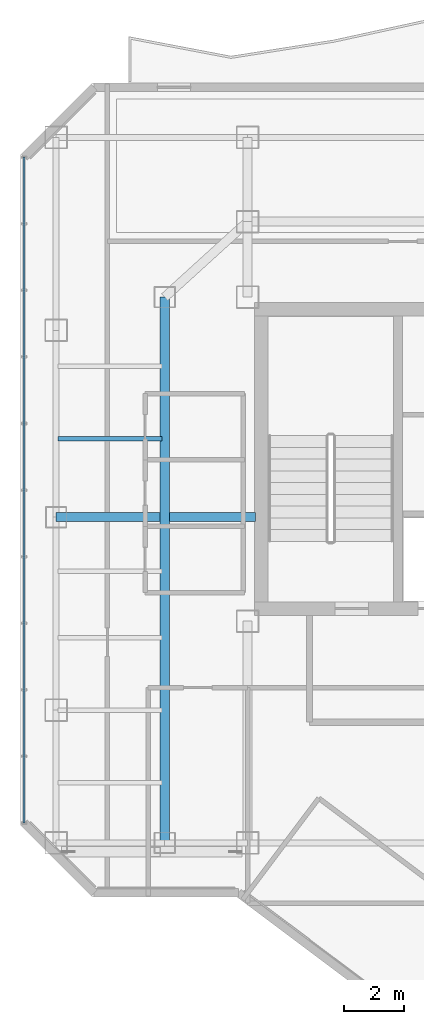
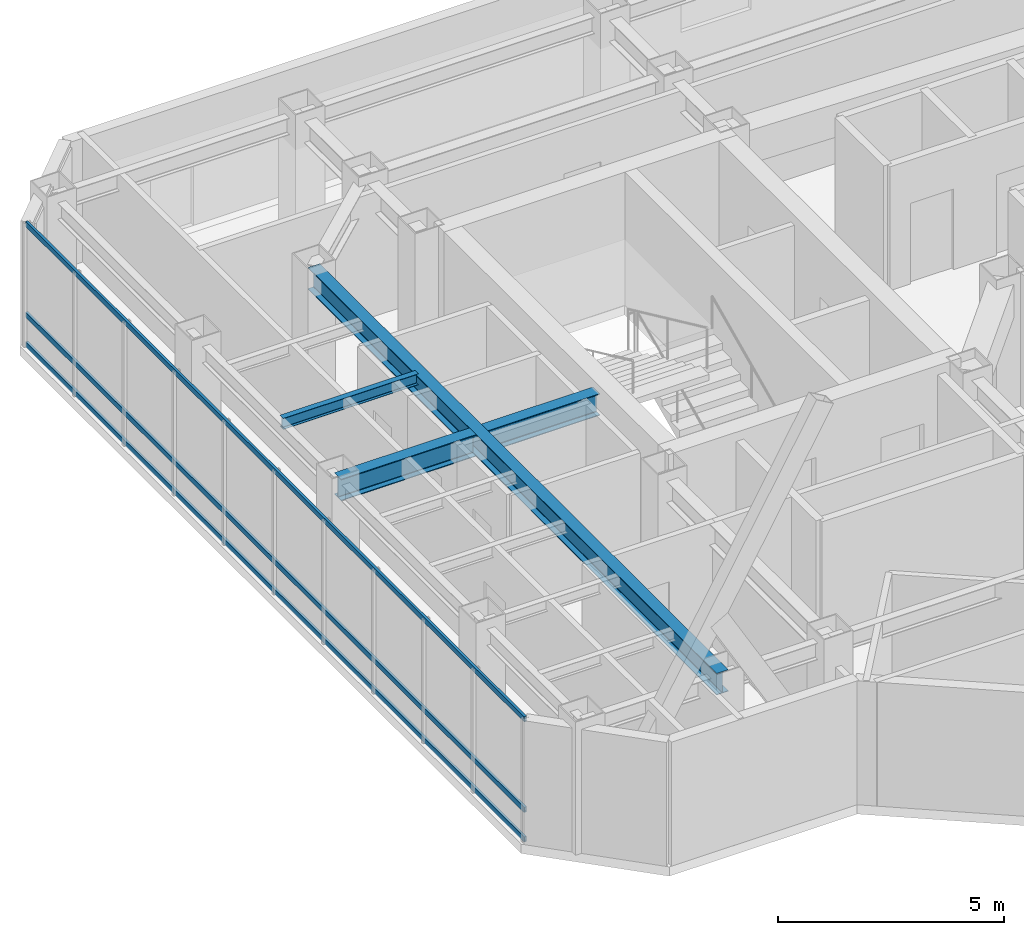
# One storey, part 7 of 24: 4 beams, 3 members, 1 element without a shape of its own.
"""IFC4 building model written with IfcOpenShell, lengths in metres."""

import ifcopenshell
import ifcopenshell.guid

model = None  # the IFC model being written
_history = None  # IfcOwnerHistory: only IFC2X3 demands one
_inside = {}  # id of a spatial element -> (the spatial element, [elements in it])
_under = {}  # id of a project, library or spatial element -> (it, [spatial elements below it])
_declared = {}  # id of a project -> (the project, [libraries it declares])
_typed = {}  # id of a type object -> (the type object, [elements of that type])
_made_of = {}  # id of a material, layer set ... -> (it, [elements and type objects made of it])


def new_model(schema):
    """Start an empty IFC model of exactly this schema.

    Asked for "IFC4X3", IfcOpenShell would pick the latest addendum, in which some entities
    have other attributes; the version numbers below select the first issue.
    IFC2X3 requires an IfcOwnerHistory on every rooted entity: one is made here for all.
    """
    global model, _history
    if schema == "IFC4X3":
        model = ifcopenshell.file(schema_version=(4, 3, 0, 0))
    else:
        model = ifcopenshell.file(schema=schema)
    _inside.clear()
    _under.clear()
    _declared.clear()
    _typed.clear()
    _made_of.clear()
    _history = None
    if model.schema == "IFC2X3":
        org = make("IfcOrganization", Name="unknown")
        user = make(
            "IfcPersonAndOrganization",
            ThePerson=make("IfcPerson", FamilyName="unknown"),
            TheOrganization=org,
        )
        app = make(
            "IfcApplication",
            ApplicationDeveloper=org,
            Version="unknown",
            ApplicationFullName="unknown",
            ApplicationIdentifier="unknown",
        )
        _history = make(
            "IfcOwnerHistory",
            OwningUser=user,
            OwningApplication=app,
            ChangeAction="ADDED",
            CreationDate=0,
        )
    return model


def make(cls, **values):
    """One entity of the class cls with the attributes given. An attribute that is None is left unset."""
    return model.create_entity(
        cls, **{name: value for name, value in values.items() if value is not None}
    )


def rooted(cls, **values):
    """An entity with a GlobalId (a new one), such as an element, a storey or a relation."""
    return make(cls, GlobalId=ifcopenshell.guid.new(), OwnerHistory=_history, **values)


def si_unit(unit_type, name, prefix=None):
    """IfcSIUnit, for example si_unit("LENGTHUNIT", "METRE", prefix="MILLI")."""
    return make("IfcSIUnit", UnitType=unit_type, Prefix=prefix, Name=name)


def assignment(units):
    """IfcUnitAssignment: the units of a project."""
    return None if units is None else make("IfcUnitAssignment", Units=units)


def point(xyz):
    """IfcCartesianPoint."""
    return None if xyz is None else make("IfcCartesianPoint", Coordinates=xyz)


def direction(xyz):
    """IfcDirection."""
    return None if xyz is None else make("IfcDirection", DirectionRatios=xyz)


def frame(location, z_axis=None, x_axis=None):
    """IfcAxis2Placement3D, a coordinate frame: its origin and axes. An axis left out is left unset."""
    return make(
        "IfcAxis2Placement3D",
        Location=point(location),
        Axis=direction(z_axis),
        RefDirection=direction(x_axis),
    )


def frame_2d(location, x_axis=None):
    """IfcAxis2Placement2D, a coordinate frame in the plane: its origin and x axis."""
    return make(
        "IfcAxis2Placement2D", Location=point(location), RefDirection=direction(x_axis)
    )


def origin():
    """The frame at (0, 0, 0) with its axes left unset."""
    return frame((0.0, 0.0, 0.0))


def origin_2d():
    """The frame at (0, 0) in the plane with its x axis left unset."""
    return frame_2d((0.0, 0.0))


def place(relative_to, where):
    """IfcLocalPlacement: puts the frame where relative to a parent placement (None: the world)."""
    return make(
        "IfcLocalPlacement", PlacementRelTo=relative_to, RelativePlacement=where
    )


def context(
    kind, dimensions, precision=None, world=None, true_north=None, identifier=None
):
    """IfcGeometricRepresentationContext, for example the 3D "Model" context."""
    return make(
        "IfcGeometricRepresentationContext",
        ContextIdentifier=identifier,
        ContextType=kind,
        CoordinateSpaceDimension=dimensions,
        Precision=precision,
        WorldCoordinateSystem=world,
        TrueNorth=true_north,
    )


def subcontext(parent, identifier, kind, view, scale=None):
    """IfcGeometricRepresentationSubContext, for example "Body" below "Model"."""
    return make(
        "IfcGeometricRepresentationSubContext",
        ContextIdentifier=identifier,
        ContextType=kind,
        ParentContext=parent,
        TargetScale=scale,
        TargetView=view,
    )


def project(units=None, contexts=None):
    """IfcProject with its units and contexts."""
    return rooted(
        "IfcProject",
        Name="project",
        RepresentationContexts=contexts,
        UnitsInContext=assignment(units),
    )


def spatial(cls, under=None, at=None, **own):
    """A site, building, storey or space (cls), placed at a placement, below another one or the project."""
    s = rooted(cls, ObjectPlacement=at, **own)
    if under is not None:
        _under.setdefault(under.id(), (under, []))[1].append(s)
    return s


def profile(cls, at=None, kind="AREA", **sizes):
    """A parametric profile (cls). Its sizes go by their IFC names, for example OverallWidth=200.0."""
    return make(cls, ProfileType=kind, Position=at, **sizes)


def hollow_rectangle(**sizes):
    """IfcRectangleHollowProfileDef."""
    return profile("IfcRectangleHollowProfileDef", **sizes)


def i_section(**sizes):
    """IfcIShapeProfileDef."""
    return profile("IfcIShapeProfileDef", **sizes)


def extrude(swept, where, along, depth):
    """IfcExtrudedAreaSolid: the profile swept, set in the frame where, extruded along a direction by depth."""
    return make(
        "IfcExtrudedAreaSolid",
        SweptArea=swept,
        Position=where,
        ExtrudedDirection=direction(along),
        Depth=depth,
    )


def shape(context_of_items, identifier, shape_type, items):
    """IfcShapeRepresentation: the items that make up one representation, for example the "Body"."""
    return make(
        "IfcShapeRepresentation",
        ContextOfItems=context_of_items,
        RepresentationIdentifier=identifier,
        RepresentationType=shape_type,
        Items=items,
    )


def material(Name=None, Category=None):
    """IfcMaterial."""
    return make("IfcMaterial", Name=Name, Category=Category)


def layer(
    of_material, thickness, ventilated=None, Name=None, Category=None, Priority=None
):
    """IfcMaterialLayer: one layer of a wall or slab, of a material (None: an air gap)."""
    return make(
        "IfcMaterialLayer",
        Material=of_material,
        LayerThickness=thickness,
        IsVentilated=ventilated,
        Name=Name,
        Category=Category,
        Priority=Priority,
    )


def layer_set(layers, Name=None):
    """IfcMaterialLayerSet."""
    return make("IfcMaterialLayerSet", MaterialLayers=layers, LayerSetName=Name)


def material_profile(
    of_material, cross_section, Name=None, Category=None, Priority=None
):
    """IfcMaterialProfile: a cross section and its material."""
    return make(
        "IfcMaterialProfile",
        Name=Name,
        Material=of_material,
        Profile=cross_section,
        Priority=Priority,
        Category=Category,
    )


def profile_set(profiles, Name=None, composite=None):
    """IfcMaterialProfileSet."""
    return make(
        "IfcMaterialProfileSet",
        Name=Name,
        MaterialProfiles=profiles,
        CompositeProfile=composite,
    )


def made_of(thing, what):
    """Note that an element or type object is made of a material, layer set ...; save() writes the relation."""
    if what is not None:
        _made_of.setdefault(what.id(), (what, []))[1].append(thing)
    return thing


def type_object(cls, material=None, **own):
    """A type object (cls), such as IfcWallType, which elements share."""
    return made_of(rooted(cls, **own), material)


def element(
    cls,
    number,
    at=None,
    inside=None,
    cuts=None,
    type_object=None,
    material=None,
    context=None,
    identifier="Body",
    shape_type=None,
    held_by="IfcProductDefinitionShape",
    body=None,
    shapes=None,
    **own,
):
    """One element of the class cls, such as IfcWall. Its Tag is "e" and its number.

    at: its placement. inside: the storey or other place that contains it. cuts: it is an
    opening in that element (IfcRelVoidsElement). A single representation is given by context,
    identifier, shape_type and body (its items); several are given by shapes. held_by: the class
    of the entity that holds the representations. save() writes the other relations.
    """
    e = rooted(cls, Tag="e%d" % number, ObjectPlacement=at, **own)
    if body is not None:
        shapes = [shape(context, identifier, shape_type, body)]
    if shapes is not None:
        e.Representation = make(held_by, Representations=shapes)
    if inside is not None:
        _inside.setdefault(inside.id(), (inside, []))[1].append(e)
    if cuts is not None:
        rooted(
            "IfcRelVoidsElement", RelatingBuildingElement=cuts, RelatedOpeningElement=e
        )
    if type_object is not None:
        _typed.setdefault(type_object.id(), (type_object, []))[1].append(e)
    return made_of(e, material)


def aggregate(whole, parts):
    """IfcRelAggregates: a whole, such as a stair, and the parts it consists of."""
    return rooted("IfcRelAggregates", RelatingObject=whole, RelatedObjects=parts)


def save(model, path):
    """Write the relations noted so far, then the file.

    IfcRelAggregates (storeys below a building ...), IfcRelContainedInSpatialStructure (elements
    in a storey), IfcRelDefinesByType, IfcRelAssociatesMaterial and IfcRelDeclares: one each for
    every whole, place, type object, material and project.
    """
    for whole, parts in _under.values():
        aggregate(whole, parts)
    for where, things in _inside.values():
        rooted(
            "IfcRelContainedInSpatialStructure",
            RelatedElements=things,
            RelatingStructure=where,
        )
    for kind, things in _typed.values():
        rooted("IfcRelDefinesByType", RelatedObjects=things, RelatingType=kind)
    for what, things in _made_of.values():
        rooted("IfcRelAssociatesMaterial", RelatedObjects=things, RelatingMaterial=what)
    for by, libraries in _declared.values():
        rooted("IfcRelDeclares", RelatingContext=by, RelatedDefinitions=libraries)
    model.write(path)


model = new_model("IFC4")

# Units and contexts
model_context = context("Model", 3, precision=1e-05, world=origin(), true_north=direction((0.0, 1.0)))
body_context = subcontext(model_context, "Body", "Model", "MODEL_VIEW")
ifc_project = project(units=[si_unit("LENGTHUNIT", "METRE"), si_unit("AREAUNIT", "SQUARE_METRE"), si_unit("VOLUMEUNIT", "CUBIC_METRE"), si_unit("PLANEANGLEUNIT", "RADIAN"), si_unit("MASSUNIT", "GRAM", prefix="KILO")], contexts=[model_context])

# Site, building, storey
site_placement = place(None, origin())
site = spatial("IfcSite", under=ifc_project, at=site_placement, CompositionType="ELEMENT")
building_placement = place(site_placement, origin())
building = spatial("IfcBuilding", under=site, at=building_placement, Name="Hatsunagi Terrace Concourse", CompositionType="ELEMENT")
storey_placement = place(building_placement, frame((0.0, 0.0, 191.550048828125)))
storey = spatial("IfcBuildingStorey", under=building, at=storey_placement, Name="L50", CompositionType="ELEMENT", Elevation=191.550048828125)

# Curtain wall, members
ifc_material_1 = material(Name="Anodised Aluminium Alloy 6063-T5", Category="aluminium")
ifc_layer = layer(ifc_material_1, 0.199951171875)
ifc_layer_set = layer_set([ifc_layer], Name="OfficeZone2_CW04")
curtain_wall_type = type_object("IfcCurtainWallType", Name="OfficeZone2_CW04", PredefinedType="NOTDEFINED", material=ifc_layer_set)
curtain_wall_placement = place(storey_placement, origin())
curtain_wall = element("IfcCurtainWall", 1, at=curtain_wall_placement, inside=storey, type_object=curtain_wall_type, Name="Unitised Curtain Wall CW-04 CW-L50-08", PredefinedType="NOTDEFINED")
ifc_material_2 = material(Name="Anodised Aluminium Alloy 6063-T5", Category="aluminium")
ifc_material_profile_1 = material_profile(ifc_material_2, hollow_rectangle(XDim=0.06494140625, YDim=0.139892578125, WallThickness=0.00390625, at=origin_2d()), Name="ALU-TRN-140x65x4")
ifc_profile_set_1 = profile_set([ifc_material_profile_1], Name="Anodised Aluminium Alloy 6063-T5")
member_type = type_object("IfcMemberType", Name="CurtainWallTransom_140x65", PredefinedType="USERDEFINED", material=ifc_profile_set_1)
member_1_placement = place(storey_placement, frame((18.139892578125, 25.85791015625, 0.050048828125), z_axis=(0.0, 1.0, 0.0), x_axis=(-1.0, 0.0, 0.0)))
member_1 = element("IfcMember", 2, at=member_1_placement, type_object=member_type, Name="Curtain Wall Transom TRN-02", ObjectType="TRANSOM", PredefinedType="USERDEFINED", context=body_context, shape_type="SweptSolid", body=[
    extrude(hollow_rectangle(XDim=0.06494140625, YDim=0.139892578125, WallThickness=0.00390625, at=origin_2d()), origin(), (0.0, 0.0, 1.0), 22.083984375),
])
member_2_placement = place(storey_placement, frame((18.139892578125, 25.85791015625, 0.849853515625), z_axis=(0.0, 1.0, 0.0), x_axis=(-1.0, 0.0, 0.0)))
member_2 = element("IfcMember", 3, at=member_2_placement, type_object=member_type, Name="Curtain Wall Transom TRN-02", ObjectType="TRANSOM", PredefinedType="USERDEFINED", context=body_context, shape_type="SweptSolid", body=[
    extrude(hollow_rectangle(XDim=0.06494140625, YDim=0.139892578125, WallThickness=0.00390625, at=origin_2d()), origin(), (0.0, 0.0, 1.0), 22.083984375),
])
member_3_placement = place(storey_placement, frame((18.139892578125, 25.85791015625, 3.300048828125), z_axis=(0.0, 1.0, 0.0), x_axis=(-1.0, 0.0, 0.0)))
member_3 = element("IfcMember", 4, at=member_3_placement, type_object=member_type, Name="Curtain Wall Transom TRN-02", ObjectType="TRANSOM", PredefinedType="USERDEFINED", context=body_context, shape_type="SweptSolid", body=[
    extrude(hollow_rectangle(XDim=0.06494140625, YDim=0.139892578125, WallThickness=0.00390625, at=origin_2d()), origin(), (0.0, 0.0, 1.0), 22.083984375),
])
aggregate(curtain_wall, [member_1, member_2, member_3])

# Beams
ifc_material_3 = material(Name="Steel SN490B", Category="steel")
ifc_material_profile_2 = material_profile(ifc_material_3, i_section(OverallWidth=0.300048828125, OverallDepth=0.587890625, WebThickness=0.011962890625, FlangeThickness=0.02001953125, FilletRadius=0.01806640625, at=origin_2d()), Name="H-588x300x12x20")
ifc_profile_set_2 = profile_set([ifc_material_profile_2], Name="Steel SN490B")
beam_type_1 = type_object("IfcBeamType", Name="OfficeHighGirder_H_588x300", PredefinedType="BEAM", material=ifc_profile_set_2)
beam_1_placement = place(storey_placement, frame((22.800048828125, 25.199951171875, 3.055908203125), z_axis=(0.0, 1.0, 0.0), x_axis=(-1.0, 0.0, 0.0)))
element("IfcBeam", 5, at=beam_1_placement, inside=storey, type_object=beam_type_1, Name="Beam G-06 BM-L50-CWNS", PredefinedType="BEAM", context=body_context, shape_type="SweptSolid", body=[
    extrude(i_section(OverallWidth=0.300048828125, OverallDepth=0.587890625, WebThickness=0.011962890625, FlangeThickness=0.02001953125, FilletRadius=0.01806640625, at=origin_2d()), origin(), (0.0, 0.0, 1.0), 18.10009765625),
])
beam_2_placement = place(storey_placement, frame((19.199951171875, 36.0, 3.055908203125), z_axis=(1.0, 0.0, 0.0), x_axis=(0.0, 1.0, 0.0)))
element("IfcBeam", 6, at=beam_2_placement, inside=storey, type_object=beam_type_1, Name="Beam G-06 BM-L50-EW-3", PredefinedType="BEAM", context=body_context, shape_type="SweptSolid", body=[
    extrude(i_section(OverallWidth=0.300048828125, OverallDepth=0.587890625, WebThickness=0.011962890625, FlangeThickness=0.02001953125, FilletRadius=0.01806640625, at=origin_2d()), origin(), (0.0, 0.0, 1.0), 3.449951171875),
])
beam_3_placement = place(storey_placement, frame((22.949951171875, 36.0, 3.055908203125), z_axis=(1.0, 0.0, 0.0), x_axis=(0.0, 1.0, 0.0)))
element("IfcBeam", 7, at=beam_3_placement, inside=storey, type_object=beam_type_1, Name="Beam G-06 BM-L50-EW-4", PredefinedType="BEAM", context=body_context, shape_type="SweptSolid", body=[
    extrude(i_section(OverallWidth=0.300048828125, OverallDepth=0.587890625, WebThickness=0.011962890625, FlangeThickness=0.02001953125, FilletRadius=0.01806640625, at=origin_2d()), origin(), (0.0, 0.0, 1.0), 2.860107421875),
])
ifc_material_4 = material(Name="Steel SN490B", Category="steel")
ifc_material_profile_3 = material_profile(ifc_material_4, i_section(OverallWidth=0.14990234375, OverallDepth=0.300048828125, WebThickness=0.006591796875, FlangeThickness=0.009033203125, FilletRadius=0.010986328125, at=origin_2d()), Name="H-300x150x6.5x9")
ifc_profile_set_3 = profile_set([ifc_material_profile_3], Name="Steel SN490B")
beam_type_2 = type_object("IfcBeamType", Name="OfficeJoist_H_300x150", PredefinedType="JOIST", material=ifc_profile_set_3)
beam_4_placement = place(storey_placement, frame((19.264892578125, 38.60009765625, 3.199951171875), z_axis=(1.0, 0.0, 0.0), x_axis=(0.0, 1.0, 0.0)))
element("IfcBeam", 8, at=beam_4_placement, inside=storey, type_object=beam_type_2, Name="Beam J-03 J-L50-W-19-386", PredefinedType="JOIST", context=body_context, shape_type="SweptSolid", body=[
    extrude(i_section(OverallWidth=0.14990234375, OverallDepth=0.300048828125, WebThickness=0.006591796875, FlangeThickness=0.009033203125, FilletRadius=0.010986328125, at=origin_2d()), origin(), (0.0, 0.0, 1.0), 3.4501953125),
])

save(model, "model.ifc")
